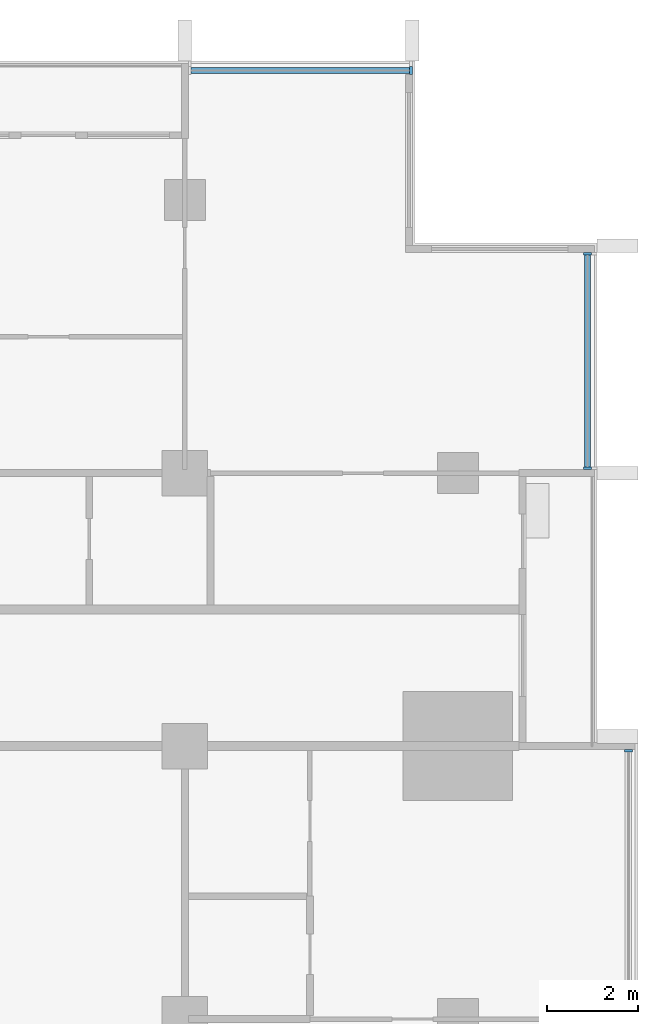
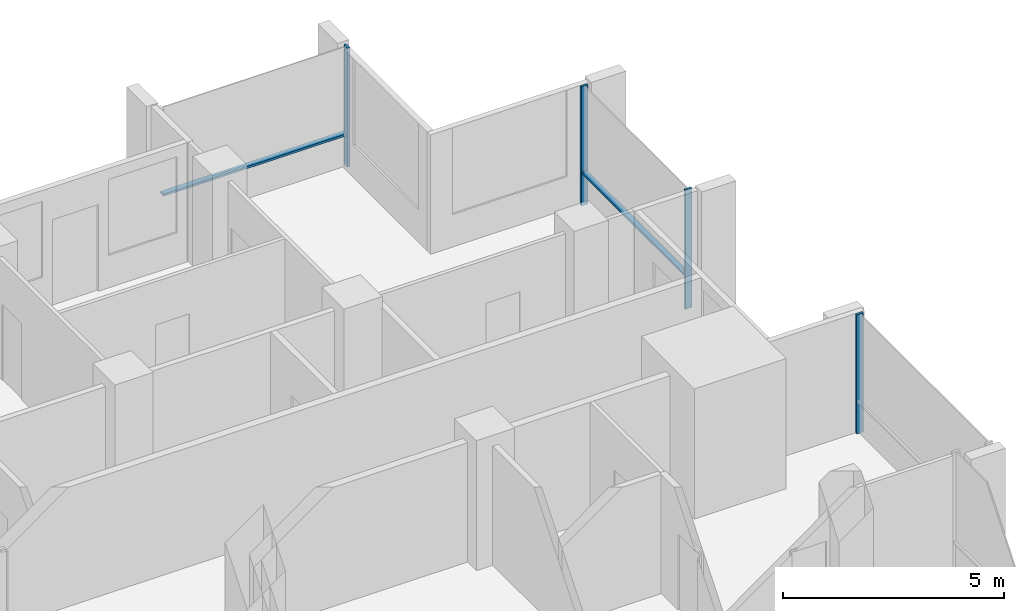
# One storey, part 5 of 17: 6 members, 3 elements without a shape of their own.
"""IFC4 building model written with IfcOpenShell, lengths in metres."""

from ifc_helpers import new_model, si_unit, direction, frame, origin, origin_2d, place, context, subcontext, project, spatial, rectangle, extrude, material, material_profile, profile_set, type_object, element, aggregate, save


model = new_model("IFC4")

# Units and contexts
model_context = context("Model", 3, precision=1e-05, world=origin(), true_north=direction((0.0, 1.0)))
body_context = subcontext(model_context, "Body", "Model", "MODEL_VIEW")
ifc_project = project(units=[si_unit("LENGTHUNIT", "METRE"), si_unit("AREAUNIT", "SQUARE_METRE"), si_unit("VOLUMEUNIT", "CUBIC_METRE"), si_unit("PLANEANGLEUNIT", "RADIAN"), si_unit("MASSUNIT", "GRAM", prefix="KILO")], contexts=[model_context])

# Site, building, storey
site_placement = place(None, origin())
site = spatial("IfcSite", under=ifc_project, at=site_placement, CompositionType="ELEMENT")
building_placement = place(site_placement, origin())
building = spatial("IfcBuilding", under=site, at=building_placement, Name="Finial Court Residences", CompositionType="ELEMENT")
storey_placement = place(building_placement, frame((0.0, 0.0, 192.5)))
storey = spatial("IfcBuildingStorey", under=building, at=storey_placement, Name="L48", CompositionType="ELEMENT", Elevation=192.5)

# Curtain wall, member
ifc_material = material(Name="Bronze anodised aluminium", Category="aluminium")
curtain_wall_type = type_object("IfcCurtainWallType", Name="Unitised curtain wall, upper zones", PredefinedType="NOTDEFINED", material=ifc_material)
curtain_wall_1_placement = place(storey_placement, origin())
curtain_wall_1 = element("IfcCurtainWall", 1, at=curtain_wall_1_placement, inside=storey, type_object=curtain_wall_type, Name="E-L48-CW-N3", PredefinedType="NOTDEFINED")
ifc_material_profile_1 = material_profile(ifc_material, rectangle(XDim=0.175048828125, YDim=0.06005859375, at=origin_2d()), Name="CW2 mullion 60 x 175")
ifc_profile_set_1 = profile_set([ifc_material_profile_1], Name="Bronze anodised aluminium")
member_type_1 = type_object("IfcMemberType", Name="CW2 mullion 60 x 175", PredefinedType="MULLION", material=ifc_profile_set_1)
member_1_placement = place(storey_placement, frame((15.469970703125, 22.35009765625, 0.0), z_axis=(0.0, 0.0, 1.0), x_axis=(0.0, 1.0, 0.0)))
member_1 = element("IfcMember", 2, at=member_1_placement, type_object=member_type_1, Name="CW2 mullion 2", PredefinedType="MULLION", context=body_context, shape_type="SweptSolid", body=[
    extrude(rectangle(XDim=0.175048828125, YDim=0.06005859375, at=origin_2d()), origin(), (0.0, 0.0, 1.0), 3.300048828125),
])

curtain_wall_2_placement = place(storey_placement, origin())
curtain_wall_2 = element("IfcCurtainWall", 3, at=curtain_wall_2_placement, inside=storey, type_object=curtain_wall_type, Name="E-L48-CW-E7", PredefinedType="NOTDEFINED")
member_2_placement = place(storey_placement, frame((20.25, 7.39501953125, 0.0), z_axis=(0.0, 0.0, 1.0), x_axis=(-1.0, 0.0, 0.0)))
member_2 = element("IfcMember", 4, at=member_2_placement, type_object=member_type_1, Name="CW2 mullion 2", PredefinedType="MULLION", context=body_context, shape_type="SweptSolid", body=[
    extrude(rectangle(XDim=0.175048828125, YDim=0.06005859375, at=origin_2d()), origin(), (0.0, 0.0, 1.0), 3.300048828125),
])
aggregate(curtain_wall_2, [member_2])

# Curtain wall, members
curtain_wall_3_placement = place(storey_placement, origin())
curtain_wall_3 = element("IfcCurtainWall", 5, at=curtain_wall_3_placement, inside=storey, type_object=curtain_wall_type, Name="E-L48-CW-E8", PredefinedType="NOTDEFINED")
member_3_placement = place(storey_placement, frame((19.35009765625, 13.60498046875, 0.0), z_axis=(0.0, 0.0, 1.0), x_axis=(-1.0, 0.0, 0.0)))
member_3 = element("IfcMember", 6, at=member_3_placement, type_object=member_type_1, Name="CW2 mullion 1", PredefinedType="MULLION", context=body_context, shape_type="SweptSolid", body=[
    extrude(rectangle(XDim=0.175048828125, YDim=0.06005859375, at=origin_2d()), origin(), (0.0, 0.0, 1.0), 3.300048828125),
])
member_4_placement = place(storey_placement, frame((19.35009765625, 18.320068359375, 0.0), z_axis=(0.0, 0.0, 1.0), x_axis=(-1.0, 0.0, 0.0)))
member_4 = element("IfcMember", 7, at=member_4_placement, type_object=member_type_1, Name="CW2 mullion 2", PredefinedType="MULLION", context=body_context, shape_type="SweptSolid", body=[
    extrude(rectangle(XDim=0.175048828125, YDim=0.06005859375, at=origin_2d()), origin(), (0.0, 0.0, 1.0), 3.300048828125),
])

# Member
ifc_material_profile_2 = material_profile(ifc_material, rectangle(XDim=0.139892578125, YDim=0.06005859375, at=origin_2d()), Name="CW2 transom 60 x 140")
ifc_profile_set_2 = profile_set([ifc_material_profile_2], Name="Bronze anodised aluminium")
member_type_2 = type_object("IfcMemberType", Name="CW2 transom 60 x 140", PredefinedType="USERDEFINED", material=ifc_profile_set_2)
member_5_placement = place(storey_placement, frame((10.635009765625, 22.35009765625, 0.89990234375), z_axis=(1.0, 0.0, 0.0), x_axis=(0.0, 1.0, 0.0)))
member_5 = element("IfcMember", 8, at=member_5_placement, type_object=member_type_2, Name="CW2 transom 1.1", ObjectType="TRANSOM", PredefinedType="USERDEFINED", context=body_context, shape_type="SweptSolid", body=[
    extrude(rectangle(XDim=0.139892578125, YDim=0.06005859375, at=origin_2d()), origin(), (0.0, 0.0, 1.0), 4.804931640625),
])

aggregate(curtain_wall_1, [member_1, member_5])

member_6_placement = place(storey_placement, frame((19.35009765625, 13.635009765625, 0.89990234375), z_axis=(0.0, 1.0, 0.0), x_axis=(-1.0, 0.0, 0.0)))
member_6 = element("IfcMember", 9, at=member_6_placement, type_object=member_type_2, Name="CW2 transom 1.1", ObjectType="TRANSOM", PredefinedType="USERDEFINED", context=body_context, shape_type="SweptSolid", body=[
    extrude(rectangle(XDim=0.139892578125, YDim=0.06005859375, at=origin_2d()), origin(), (0.0, 0.0, 1.0), 4.655029296875),
])

aggregate(curtain_wall_3, [member_3, member_4, member_6])

save(model, "model.ifc")
